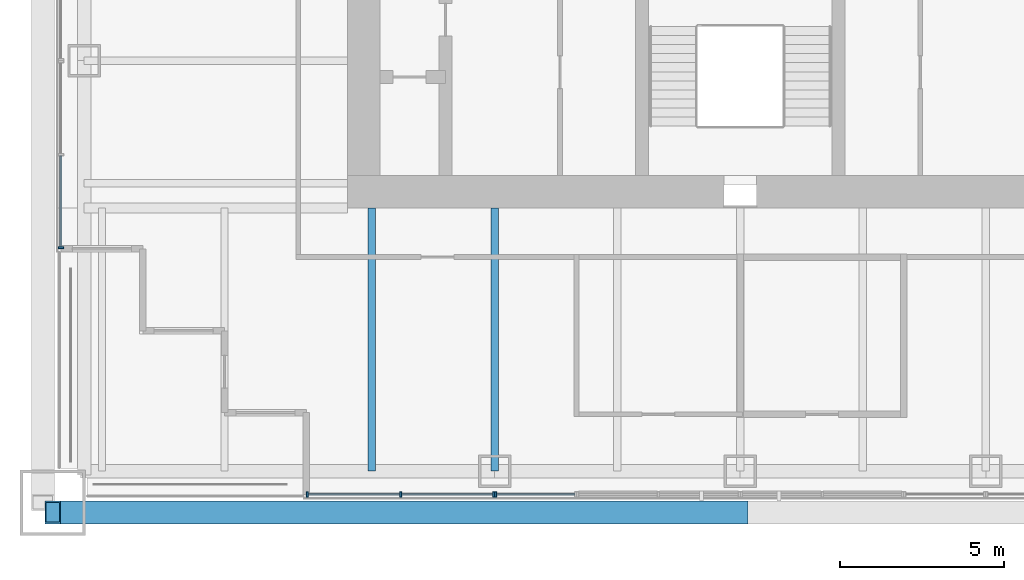
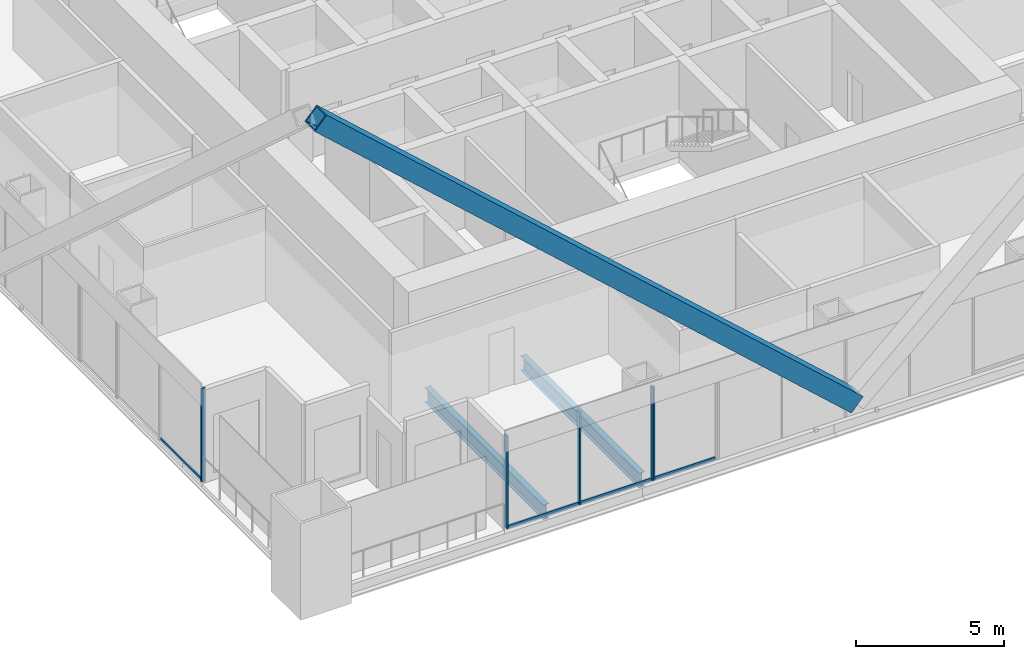
# One storey, part 2 of 17: 10 members, 2 beams, 3 elements without a shape of their own.
"""IFC4 building model written with IfcOpenShell, lengths in metres."""

from ifc_helpers import new_model, si_unit, direction, frame, origin, origin_2d, place, context, subcontext, project, spatial, rectangle, hollow_rectangle, i_section, extrude, material, material_profile, profile_set, type_object, element, aggregate, save


model = new_model("IFC4")

# Units and contexts
model_context = context("Model", 3, precision=1e-05, world=origin(), true_north=direction((0.0, 1.0)))
body_context = subcontext(model_context, "Body", "Model", "MODEL_VIEW")
ifc_project = project(units=[si_unit("LENGTHUNIT", "METRE"), si_unit("AREAUNIT", "SQUARE_METRE"), si_unit("VOLUMEUNIT", "CUBIC_METRE"), si_unit("PLANEANGLEUNIT", "RADIAN"), si_unit("MASSUNIT", "GRAM", prefix="KILO")], contexts=[model_context])

# Site, building, storey
site_placement = place(None, origin())
site = spatial("IfcSite", under=ifc_project, at=site_placement, CompositionType="ELEMENT")
building_placement = place(site_placement, origin())
building = spatial("IfcBuilding", under=site, at=building_placement, Name="Tarangal Relay Tower", CompositionType="ELEMENT")
storey_placement = place(building_placement, frame((0.0, 0.0, 315.89990234375)))
storey = spatial("IfcBuildingStorey", under=building, at=storey_placement, Name="L70", CompositionType="ELEMENT", Elevation=315.89990234375)

# Beams
ifc_material_1 = material(Name="Steel ASTM A992", Category="steel")
ifc_material_profile_1 = material_profile(ifc_material_1, i_section(OverallWidth=0.228271484375, OverallDepth=0.607177734375, WebThickness=0.01123046875, FlangeThickness=0.017333984375, at=origin_2d()), Name="W24X76")
ifc_profile_set_1 = profile_set([ifc_material_profile_1], Name="Steel ASTM A992")
beam_type = type_object("IfcBeamType", Name="Floor beam W24X76", PredefinedType="BEAM", material=ifc_profile_set_1)
for number, where, z_axis, x_axis, name in (
    (1, (-7.5, -12.0, -0.453369140625), (0.0, -1.0, 0.0), (1.0, 0.0, 0.0), "Floor beam RB5 S L70"),
    (2, (-11.25, -12.0, -0.453369140625), (0.0, -1.0, 0.0), (1.0, 0.0, 0.0), "Floor beam RB5 S L70"),
):
    element("IfcBeam", number, at=place(storey_placement, frame(where, z_axis=z_axis, x_axis=x_axis)), inside=storey, type_object=beam_type, Name=name, PredefinedType="BEAM", context=body_context, shape_type="SweptSolid", body=[
        extrude(i_section(OverallWidth=0.228271484375, OverallDepth=0.607177734375, WebThickness=0.01123046875, FlangeThickness=0.017333984375, at=origin_2d()), origin(), (0.0, 0.0, 1.0), 8.0400390625),
    ])

# Member
ifc_material_2 = material(Name="Steel ASTM A572 Grade 50", Category="steel")
ifc_material_profile_2 = material_profile(ifc_material_2, hollow_rectangle(XDim=0.699951171875, YDim=0.699951171875, WallThickness=0.052001953125, at=origin_2d()), Name="BOX700X700X52")
ifc_profile_set_2 = profile_set([ifc_material_profile_2], Name="Steel ASTM A572 Grade 50")
member_type_1 = type_object("IfcMemberType", Name="Mega brace BOX700X700X52", PredefinedType="BRACE", material=ifc_profile_set_2)
member_1_placement = place(storey_placement, frame((0.0, -21.300048828125, 1.0), z_axis=(-0.741535779124, 0.0, 0.670913323969), x_axis=(0.0, -1.0, 0.0)))
element("IfcMember", 3, at=member_1_placement, inside=storey, type_object=member_type_1, Name="Mega brace MB4 S face module 2", PredefinedType="BRACE", context=body_context, shape_type="SweptSolid", body=[
    extrude(hollow_rectangle(XDim=0.699951171875, YDim=0.699951171875, WallThickness=0.052001953125, at=origin_2d()), origin(), (0.0, 0.0, 1.0), 28.319580078125),
])

# Curtain wall, member
ifc_material_3 = material(Name="Unitised curtain wall, dark glass and black aluminium", Category="aluminium")
curtain_wall_type = type_object("IfcCurtainWallType", Name="Curtain wall CW-B", PredefinedType="USERDEFINED", material=ifc_material_3)
curtain_wall_1_placement = place(storey_placement, origin())
curtain_wall_1 = element("IfcCurtainWall", 4, at=curtain_wall_1_placement, inside=storey, type_object=curtain_wall_type, Name="Curtain wall CW-B S facade L70", ObjectType="UNITISED CURTAIN WALL", PredefinedType="USERDEFINED")
ifc_material_4 = material(Name="Black anodised aluminium mullion", Category="aluminium")
ifc_material_profile_3 = material_profile(ifc_material_4, rectangle(XDim=0.159912109375, YDim=0.06005859375, at=origin_2d()), Name="CW-BM 60X160")
ifc_profile_set_3 = profile_set([ifc_material_profile_3], Name="Black anodised aluminium mullion")
member_type_2 = type_object("IfcMemberType", Name="Mullion CW-B 60 x 160", PredefinedType="MULLION", material=ifc_profile_set_3)
member_2_placement = place(storey_placement, frame((-7.469970703125, -20.75, 0.0), z_axis=(0.0, 0.0, 1.0), x_axis=(0.0, -1.0, 0.0)))
member_2 = element("IfcMember", 5, at=member_2_placement, type_object=member_type_2, Name="CW-B mullion 2", PredefinedType="MULLION", context=body_context, shape_type="SweptSolid", body=[
    extrude(rectangle(XDim=0.159912109375, YDim=0.06005859375, at=origin_2d()), origin(), (0.0, 0.0, 1.0), 3.85009765625),
])

# Curtain wall, members
curtain_wall_2_placement = place(storey_placement, origin())
curtain_wall_2 = element("IfcCurtainWall", 6, at=curtain_wall_2_placement, inside=storey, type_object=curtain_wall_type, Name="Curtain wall CW-B S facade L70", ObjectType="UNITISED CURTAIN WALL", PredefinedType="USERDEFINED")
member_3_placement = place(storey_placement, frame((-7.530029296875, -20.75, 0.0), z_axis=(0.0, 0.0, 1.0), x_axis=(0.0, -1.0, 0.0)))
member_3 = element("IfcMember", 7, at=member_3_placement, type_object=member_type_2, Name="CW-B mullion 1", PredefinedType="MULLION", context=body_context, shape_type="SweptSolid", body=[
    extrude(rectangle(XDim=0.159912109375, YDim=0.06005859375, at=origin_2d()), origin(), (0.0, 0.0, 1.0), 3.85009765625),
])
member_4_placement = place(storey_placement, frame((-10.375, -20.75, 0.0), z_axis=(0.0, 0.0, 1.0), x_axis=(0.0, -1.0, 0.0)))
member_4 = element("IfcMember", 8, at=member_4_placement, type_object=member_type_2, Name="CW-B mullion 2", PredefinedType="MULLION", context=body_context, shape_type="SweptSolid", body=[
    extrude(rectangle(XDim=0.159912109375, YDim=0.06005859375, at=origin_2d()), origin(), (0.0, 0.0, 1.0), 3.85009765625),
])
member_5_placement = place(storey_placement, frame((-13.219970703125, -20.75, 0.0), z_axis=(0.0, 0.0, 1.0), x_axis=(0.0, -1.0, 0.0)))
member_5 = element("IfcMember", 9, at=member_5_placement, type_object=member_type_2, Name="CW-B mullion 3", PredefinedType="MULLION", context=body_context, shape_type="SweptSolid", body=[
    extrude(rectangle(XDim=0.159912109375, YDim=0.06005859375, at=origin_2d()), origin(), (0.0, 0.0, 1.0), 3.85009765625),
])

# Curtain wall, member
curtain_wall_3_placement = place(storey_placement, origin())
curtain_wall_3 = element("IfcCurtainWall", 10, at=curtain_wall_3_placement, inside=storey, type_object=curtain_wall_type, Name="Curtain wall CW-B W facade L70", ObjectType="UNITISED CURTAIN WALL", PredefinedType="USERDEFINED")
member_6_placement = place(storey_placement, frame((-20.75, -13.219970703125, 0.0), z_axis=(0.0, 0.0, 1.0), x_axis=(-1.0, 0.0, 0.0)))
member_6 = element("IfcMember", 11, at=member_6_placement, type_object=member_type_2, Name="CW-B mullion 1", PredefinedType="MULLION", context=body_context, shape_type="SweptSolid", body=[
    extrude(rectangle(XDim=0.159912109375, YDim=0.06005859375, at=origin_2d()), origin(), (0.0, 0.0, 1.0), 3.85009765625),
])

# Member
ifc_material_5 = material(Name="Black anodised aluminium transom", Category="aluminium")
ifc_material_profile_4 = material_profile(ifc_material_5, rectangle(XDim=0.06005859375, YDim=0.1298828125, at=origin_2d()), Name="CW-BT 60X130")
ifc_profile_set_4 = profile_set([ifc_material_profile_4], Name="Black anodised aluminium transom")
member_type_3 = type_object("IfcMemberType", Name="Transom CW-B 60 x 130", PredefinedType="USERDEFINED", material=ifc_profile_set_4)
member_7_placement = place(storey_placement, frame((-5.06005859375, -20.75, 0.030029296875), z_axis=(-1.0, 0.0, 0.0), x_axis=(0.0, -1.0, 0.0)))
member_7 = element("IfcMember", 12, at=member_7_placement, type_object=member_type_3, Name="CW-B transom 1.1", ObjectType="TRANSOM", PredefinedType="USERDEFINED", context=body_context, shape_type="SweptSolid", body=[
    extrude(rectangle(XDim=0.06005859375, YDim=0.1298828125, at=origin_2d()), origin(), (0.0, 0.0, 1.0), 2.3798828125),
])

aggregate(curtain_wall_1, [member_2, member_7])

member_8_placement = place(storey_placement, frame((-7.56005859375, -20.75, 0.030029296875), z_axis=(-1.0, 0.0, 0.0), x_axis=(0.0, -1.0, 0.0)))
member_8 = element("IfcMember", 13, at=member_8_placement, type_object=member_type_3, Name="CW-B transom 1.1", ObjectType="TRANSOM", PredefinedType="USERDEFINED", context=body_context, shape_type="SweptSolid", body=[
    extrude(rectangle(XDim=0.06005859375, YDim=0.1298828125, at=origin_2d()), origin(), (0.0, 0.0, 1.0), 2.784912109375),
])

member_9_placement = place(storey_placement, frame((-10.405029296875, -20.75, 0.030029296875), z_axis=(-1.0, 0.0, 0.0), x_axis=(0.0, -1.0, 0.0)))
member_9 = element("IfcMember", 14, at=member_9_placement, type_object=member_type_3, Name="CW-B transom 2.1", ObjectType="TRANSOM", PredefinedType="USERDEFINED", context=body_context, shape_type="SweptSolid", body=[
    extrude(rectangle(XDim=0.06005859375, YDim=0.1298828125, at=origin_2d()), origin(), (0.0, 0.0, 1.0), 2.784912109375),
])

aggregate(curtain_wall_2, [member_3, member_4, member_5, member_8, member_9])

member_10_placement = place(storey_placement, frame((-20.75, -13.18994140625, 0.030029296875), z_axis=(0.0, 1.0, 0.0), x_axis=(-1.0, 0.0, 0.0)))
member_10 = element("IfcMember", 15, at=member_10_placement, type_object=member_type_3, Name="CW-B transom 1.1", ObjectType="TRANSOM", PredefinedType="USERDEFINED", context=body_context, shape_type="SweptSolid", body=[
    extrude(rectangle(XDim=0.06005859375, YDim=0.1298828125, at=origin_2d()), origin(), (0.0, 0.0, 1.0), 2.784912109375),
])

aggregate(curtain_wall_3, [member_6, member_10])

save(model, "model.ifc")
